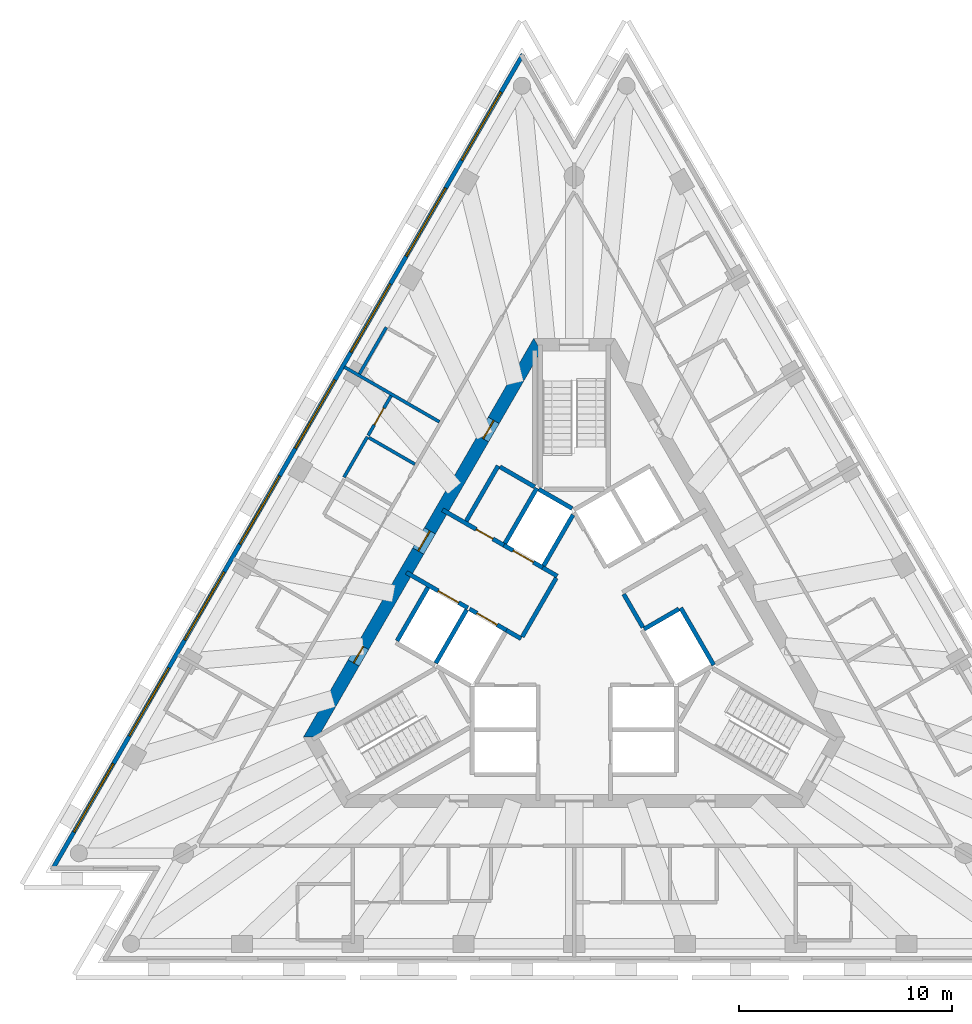
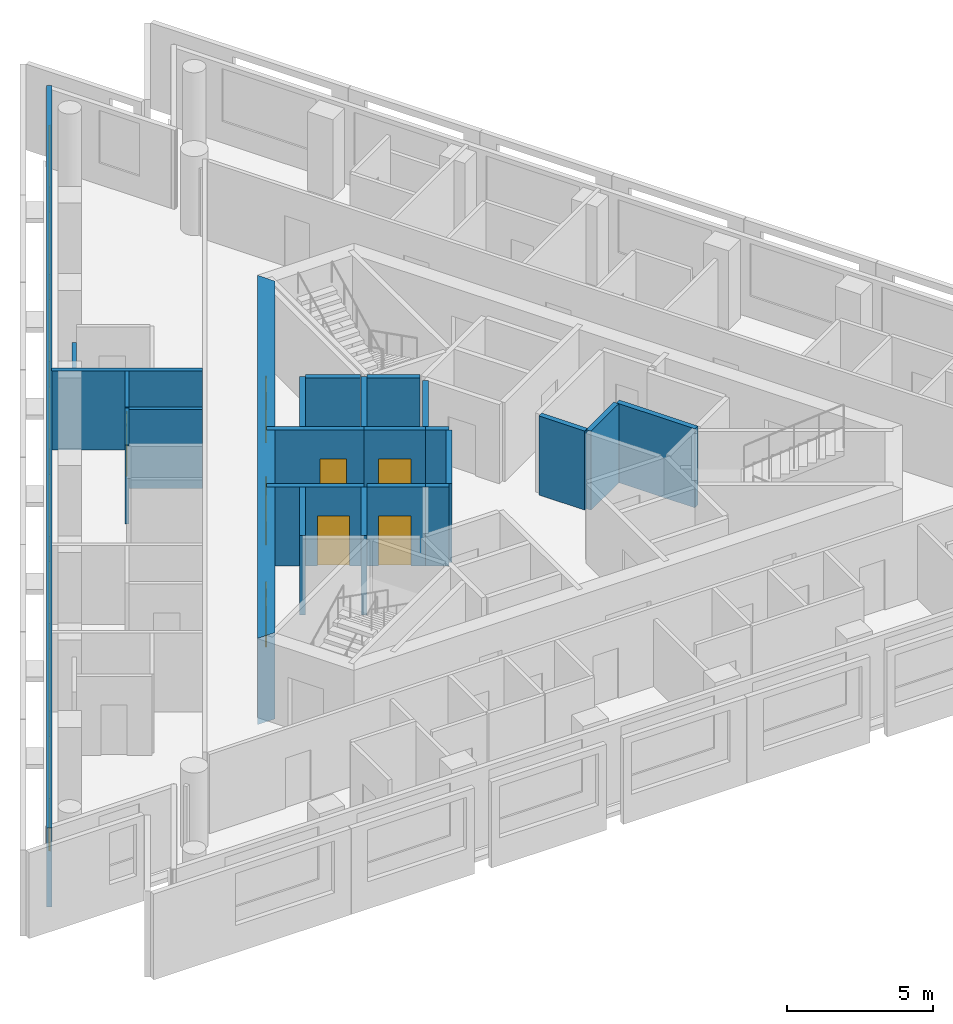
# One storey, part 5 of 10: 24 walls, 8 doors, 8 windows, 16 openings.
"""IFC4 building model written with IfcOpenShell, lengths in metres."""

import ifcopenshell
import ifcopenshell.guid

model = None  # the IFC model being written
_history = None  # IfcOwnerHistory: only IFC2X3 demands one
_inside = {}  # id of a spatial element -> (the spatial element, [elements in it])
_under = {}  # id of a project, library or spatial element -> (it, [spatial elements below it])
_declared = {}  # id of a project -> (the project, [libraries it declares])
_typed = {}  # id of a type object -> (the type object, [elements of that type])
_made_of = {}  # id of a material, layer set ... -> (it, [elements and type objects made of it])


def new_model(schema):
    """Start an empty IFC model of exactly this schema.

    Asked for "IFC4X3", IfcOpenShell would pick the latest addendum, in which some entities
    have other attributes; the version numbers below select the first issue.
    IFC2X3 requires an IfcOwnerHistory on every rooted entity: one is made here for all.
    """
    global model, _history
    if schema == "IFC4X3":
        model = ifcopenshell.file(schema_version=(4, 3, 0, 0))
    else:
        model = ifcopenshell.file(schema=schema)
    _inside.clear()
    _under.clear()
    _declared.clear()
    _typed.clear()
    _made_of.clear()
    _history = None
    if model.schema == "IFC2X3":
        org = make("IfcOrganization", Name="unknown")
        user = make(
            "IfcPersonAndOrganization",
            ThePerson=make("IfcPerson", FamilyName="unknown"),
            TheOrganization=org,
        )
        app = make(
            "IfcApplication",
            ApplicationDeveloper=org,
            Version="unknown",
            ApplicationFullName="unknown",
            ApplicationIdentifier="unknown",
        )
        _history = make(
            "IfcOwnerHistory",
            OwningUser=user,
            OwningApplication=app,
            ChangeAction="ADDED",
            CreationDate=0,
        )
    return model


def make(cls, **values):
    """One entity of the class cls with the attributes given. An attribute that is None is left unset."""
    return model.create_entity(
        cls, **{name: value for name, value in values.items() if value is not None}
    )


def rooted(cls, **values):
    """An entity with a GlobalId (a new one), such as an element, a storey or a relation."""
    return make(cls, GlobalId=ifcopenshell.guid.new(), OwnerHistory=_history, **values)


def si_unit(unit_type, name, prefix=None):
    """IfcSIUnit, for example si_unit("LENGTHUNIT", "METRE", prefix="MILLI")."""
    return make("IfcSIUnit", UnitType=unit_type, Prefix=prefix, Name=name)


def assignment(units):
    """IfcUnitAssignment: the units of a project."""
    return None if units is None else make("IfcUnitAssignment", Units=units)


def point(xyz):
    """IfcCartesianPoint."""
    return None if xyz is None else make("IfcCartesianPoint", Coordinates=xyz)


def direction(xyz):
    """IfcDirection."""
    return None if xyz is None else make("IfcDirection", DirectionRatios=xyz)


def frame(location, z_axis=None, x_axis=None):
    """IfcAxis2Placement3D, a coordinate frame: its origin and axes. An axis left out is left unset."""
    return make(
        "IfcAxis2Placement3D",
        Location=point(location),
        Axis=direction(z_axis),
        RefDirection=direction(x_axis),
    )


def frame_2d(location, x_axis=None):
    """IfcAxis2Placement2D, a coordinate frame in the plane: its origin and x axis."""
    return make(
        "IfcAxis2Placement2D", Location=point(location), RefDirection=direction(x_axis)
    )


def origin():
    """The frame at (0, 0, 0) with its axes left unset."""
    return frame((0.0, 0.0, 0.0))


def place(relative_to, where):
    """IfcLocalPlacement: puts the frame where relative to a parent placement (None: the world)."""
    return make(
        "IfcLocalPlacement", PlacementRelTo=relative_to, RelativePlacement=where
    )


def context(
    kind, dimensions, precision=None, world=None, true_north=None, identifier=None
):
    """IfcGeometricRepresentationContext, for example the 3D "Model" context."""
    return make(
        "IfcGeometricRepresentationContext",
        ContextIdentifier=identifier,
        ContextType=kind,
        CoordinateSpaceDimension=dimensions,
        Precision=precision,
        WorldCoordinateSystem=world,
        TrueNorth=true_north,
    )


def subcontext(parent, identifier, kind, view, scale=None):
    """IfcGeometricRepresentationSubContext, for example "Body" below "Model"."""
    return make(
        "IfcGeometricRepresentationSubContext",
        ContextIdentifier=identifier,
        ContextType=kind,
        ParentContext=parent,
        TargetScale=scale,
        TargetView=view,
    )


def project(units=None, contexts=None):
    """IfcProject with its units and contexts."""
    return rooted(
        "IfcProject",
        Name="project",
        RepresentationContexts=contexts,
        UnitsInContext=assignment(units),
    )


def spatial(cls, under=None, at=None, **own):
    """A site, building, storey or space (cls), placed at a placement, below another one or the project."""
    s = rooted(cls, ObjectPlacement=at, **own)
    if under is not None:
        _under.setdefault(under.id(), (under, []))[1].append(s)
    return s


def polyline(points):
    """IfcPolyline through the points."""
    return make("IfcPolyline", Points=[point(p) for p in points])


def profile(cls, at=None, kind="AREA", **sizes):
    """A parametric profile (cls). Its sizes go by their IFC names, for example OverallWidth=200.0."""
    return make(cls, ProfileType=kind, Position=at, **sizes)


def rectangle(**sizes):
    """IfcRectangleProfileDef."""
    return profile("IfcRectangleProfileDef", **sizes)


def outline(outer, holes=None, kind="AREA"):
    """IfcArbitraryClosedProfileDef: a profile drawn as a closed curve; with holes, ...WithVoids."""
    if holes is None:
        return make("IfcArbitraryClosedProfileDef", ProfileType=kind, OuterCurve=outer)
    return make(
        "IfcArbitraryProfileDefWithVoids",
        ProfileType=kind,
        OuterCurve=outer,
        InnerCurves=holes,
    )


def extrude(swept, where, along, depth):
    """IfcExtrudedAreaSolid: the profile swept, set in the frame where, extruded along a direction by depth."""
    return make(
        "IfcExtrudedAreaSolid",
        SweptArea=swept,
        Position=where,
        ExtrudedDirection=direction(along),
        Depth=depth,
    )


def shape(context_of_items, identifier, shape_type, items):
    """IfcShapeRepresentation: the items that make up one representation, for example the "Body"."""
    return make(
        "IfcShapeRepresentation",
        ContextOfItems=context_of_items,
        RepresentationIdentifier=identifier,
        RepresentationType=shape_type,
        Items=items,
    )


def material(Name=None, Category=None):
    """IfcMaterial."""
    return make("IfcMaterial", Name=Name, Category=Category)


def layer(
    of_material, thickness, ventilated=None, Name=None, Category=None, Priority=None
):
    """IfcMaterialLayer: one layer of a wall or slab, of a material (None: an air gap)."""
    return make(
        "IfcMaterialLayer",
        Material=of_material,
        LayerThickness=thickness,
        IsVentilated=ventilated,
        Name=Name,
        Category=Category,
        Priority=Priority,
    )


def layer_set(layers, Name=None):
    """IfcMaterialLayerSet."""
    return make("IfcMaterialLayerSet", MaterialLayers=layers, LayerSetName=Name)


def layer_usage(for_layer_set, set_direction, sense, offset, extent=None):
    """IfcMaterialLayerSetUsage: how a layer set lies in its element."""
    return make(
        "IfcMaterialLayerSetUsage",
        ForLayerSet=for_layer_set,
        LayerSetDirection=set_direction,
        DirectionSense=sense,
        OffsetFromReferenceLine=offset,
        ReferenceExtent=extent,
    )


def made_of(thing, what):
    """Note that an element or type object is made of a material, layer set ...; save() writes the relation."""
    if what is not None:
        _made_of.setdefault(what.id(), (what, []))[1].append(thing)
    return thing


def type_object(cls, material=None, **own):
    """A type object (cls), such as IfcWallType, which elements share."""
    return made_of(rooted(cls, **own), material)


def element(
    cls,
    number,
    at=None,
    inside=None,
    cuts=None,
    type_object=None,
    material=None,
    context=None,
    identifier="Body",
    shape_type=None,
    held_by="IfcProductDefinitionShape",
    body=None,
    shapes=None,
    **own,
):
    """One element of the class cls, such as IfcWall. Its Tag is "e" and its number.

    at: its placement. inside: the storey or other place that contains it. cuts: it is an
    opening in that element (IfcRelVoidsElement). A single representation is given by context,
    identifier, shape_type and body (its items); several are given by shapes. held_by: the class
    of the entity that holds the representations. save() writes the other relations.
    """
    e = rooted(cls, Tag="e%d" % number, ObjectPlacement=at, **own)
    if body is not None:
        shapes = [shape(context, identifier, shape_type, body)]
    if shapes is not None:
        e.Representation = make(held_by, Representations=shapes)
    if inside is not None:
        _inside.setdefault(inside.id(), (inside, []))[1].append(e)
    if cuts is not None:
        rooted(
            "IfcRelVoidsElement", RelatingBuildingElement=cuts, RelatedOpeningElement=e
        )
    if type_object is not None:
        _typed.setdefault(type_object.id(), (type_object, []))[1].append(e)
    return made_of(e, material)


def fill(opening, filler):
    """IfcRelFillsElement: the door or window that sits in an opening."""
    return rooted(
        "IfcRelFillsElement",
        RelatingOpeningElement=opening,
        RelatedBuildingElement=filler,
    )


def aggregate(whole, parts):
    """IfcRelAggregates: a whole, such as a stair, and the parts it consists of."""
    return rooted("IfcRelAggregates", RelatingObject=whole, RelatedObjects=parts)


def save(model, path):
    """Write the relations noted so far, then the file.

    IfcRelAggregates (storeys below a building ...), IfcRelContainedInSpatialStructure (elements
    in a storey), IfcRelDefinesByType, IfcRelAssociatesMaterial and IfcRelDeclares: one each for
    every whole, place, type object, material and project.
    """
    for whole, parts in _under.values():
        aggregate(whole, parts)
    for where, things in _inside.values():
        rooted(
            "IfcRelContainedInSpatialStructure",
            RelatedElements=things,
            RelatingStructure=where,
        )
    for kind, things in _typed.values():
        rooted("IfcRelDefinesByType", RelatedObjects=things, RelatingType=kind)
    for what, things in _made_of.values():
        rooted("IfcRelAssociatesMaterial", RelatedObjects=things, RelatingMaterial=what)
    for by, libraries in _declared.values():
        rooted("IfcRelDeclares", RelatingContext=by, RelatedDefinitions=libraries)
    model.write(path)


model = new_model("IFC4")

# Units and contexts
model_context = context("Model", 3, precision=1e-05, world=origin(), true_north=direction((0.0, 1.0)))
body_context = subcontext(model_context, "Body", "Model", "MODEL_VIEW")
ifc_project = project(units=[si_unit("LENGTHUNIT", "METRE"), si_unit("AREAUNIT", "SQUARE_METRE"), si_unit("VOLUMEUNIT", "CUBIC_METRE"), si_unit("PLANEANGLEUNIT", "RADIAN"), si_unit("MASSUNIT", "GRAM", prefix="KILO")], contexts=[model_context])

# Site, building, storey
site_placement = place(None, origin())
site = spatial("IfcSite", under=ifc_project, at=site_placement, CompositionType="ELEMENT")
building_placement = place(site_placement, origin())
building = spatial("IfcBuilding", under=site, at=building_placement, Name="Triada Interchange Tower", CompositionType="ELEMENT")
storey_placement = place(building_placement, frame((0.0, 0.0, 311.5)))
storey = spatial("IfcBuildingStorey", under=building, at=storey_placement, Name="L74", CompositionType="ELEMENT", Elevation=311.5)

# Walls
ifc_material_1 = material(Name="Concrete C30/37", Category="concrete")
ifc_layer_1 = layer(ifc_material_1, 0.199951171875)
ifc_layer_set_1 = layer_set([ifc_layer_1], Name="CORE WALL 200 EI 120")
wall_type_1 = type_object("IfcWallType", Name="CORE WALL 200 EI 120", PredefinedType="SOLIDWALL", material=ifc_layer_set_1)
wall_1_placement = place(storey_placement, frame((-8.325927734375, -0.6201171875, 0.0), z_axis=(0.0, 0.0, 1.0), x_axis=(0.500023687443, 0.866011727401, 0.0)))
element("IfcWall", 1, at=wall_1_placement, inside=storey, type_object=wall_type_1, Name="Wall L74 65", PredefinedType="SOLIDWALL", context=body_context, shape_type="SweptSolid", body=[
    extrude(rectangle(XDim=2.899658203125, YDim=0.199951171875, at=frame_2d((1.44970703125, 0.0))), origin(), (0.0, 0.0, 1.0), 3.300048828125),
])
wall_2_placement = place(storey_placement, frame((5.007080078125, 0.927978515625, 0.0), z_axis=(0.0, 0.0, 1.0), x_axis=(0.499899694197, -0.866083307622, 0.0)))
element("IfcWall", 2, at=wall_2_placement, inside=storey, type_object=wall_type_1, Name="Wall L74 82", PredefinedType="SOLIDWALL", context=body_context, shape_type="SweptSolid", body=[
    extrude(rectangle(XDim=3.100341796875, YDim=0.199951171875, at=frame_2d((1.55029296875, 0.0))), origin(), (0.0, 0.0, 1.0), 3.300048828125),
])
wall_3_placement = place(storey_placement, frame((3.278076171875, -0.071044921875, 0.0), z_axis=(0.0, 0.0, 1.0), x_axis=(0.865784509405, 0.500417009377, 0.0)))
element("IfcWall", 3, at=wall_3_placement, inside=storey, type_object=wall_type_1, Name="Wall L74 83", PredefinedType="SOLIDWALL", context=body_context, shape_type="SweptSolid", body=[
    extrude(rectangle(XDim=1.896484375, YDim=0.199951171875, at=frame_2d((0.9482421875, 0.0))), origin(), (0.0, 0.0, 1.0), 3.300048828125),
])
wall_4_placement = place(storey_placement, frame((2.324951171875, 1.572998046875, 0.0), z_axis=(0.0, 0.0, 1.0), x_axis=(0.500004188491, -0.866022985545, 0.0)))
element("IfcWall", 4, at=wall_4_placement, inside=storey, type_object=wall_type_1, Name="Wall L74 87", PredefinedType="SOLIDWALL", context=body_context, shape_type="SweptSolid", body=[
    extrude(rectangle(XDim=1.80029296875, YDim=0.199951171875, at=frame_2d((0.900146484375, 0.0))), origin(), (0.0, 0.0, 1.0), 3.300048828125),
])

# Wall, opening, door
ifc_layer_2 = layer(ifc_material_1, 0.199951171875)
ifc_layer_set_2 = layer_set([ifc_layer_2], Name="CORE WALL 200 EI 180")
wall_type_2 = type_object("IfcWallType", Name="CORE WALL 200 EI 180", PredefinedType="SOLIDWALL", material=ifc_layer_set_2)
wall_5_placement = place(storey_placement, frame((-7.89111328125, 2.593017578125, 0.0), z_axis=(0.0, 0.0, 1.0), x_axis=(0.866070917804, -0.499921159118, 0.0)))
wall_5 = element("IfcWall", 5, at=wall_5_placement, inside=storey, type_object=wall_type_2, Name="Wall L74 89", PredefinedType="SOLIDWALL", context=body_context, shape_type="SweptSolid", body=[
    extrude(rectangle(XDim=3.33251953125, YDim=0.199951171875, at=frame_2d((1.666259765625, 0.0))), origin(), (0.0, 0.0, 1.0), 3.300048828125),
])
opening_1_placement = place(wall_5_placement, frame((1.72998046875, 0.0, 0.0)))
opening_1 = element("IfcOpeningElement", 6, at=opening_1_placement, cuts=wall_5, Name="Opening LD-SV1", PredefinedType="OPENING", context=body_context, shape_type="SweptSolid", body=[
    extrude(rectangle(XDim=1.10009765625, YDim=2.10009765625, at=frame_2d((0.550048828125, 1.050048828125))), frame((0.0, 0.10986328125, 0.0), z_axis=(0.0, -1.0, 0.0), x_axis=(1.0, 0.0, 0.0)), (0.0, 0.0, 1.0), 0.219970703125),
])
ifc_material_2 = material(Name="Steel S235 door leaf", Category="steel")
door_type_1 = type_object("IfcDoorType", Name="LIFT LANDING DOOR 1100 EI 120", OperationType="SLIDING_TO_LEFT", PredefinedType="DOOR", material=ifc_material_2)
door_1_placement = place(opening_1_placement, origin())
door_1 = element("IfcDoor", 7, at=door_1_placement, inside=storey, type_object=door_type_1, Name="SV1 landing door L74", OperationType="SLIDING_TO_LEFT", OverallHeight=2.10009765625, OverallWidth=1.10009765625, PredefinedType="DOOR", context=body_context, shape_type="SweptSolid", body=[
    extrude(rectangle(XDim=1.10009765625, YDim=2.10009765625, at=frame_2d((0.550048828125, 1.050048828125))), frame((0.0, 0.02490234375, 0.0), z_axis=(0.0, -1.0, 0.0), x_axis=(1.0, 0.0, 0.0)), (0.0, 0.0, 1.0), 0.050048828125),
])
fill(opening_1, door_1)

# Wall
wall_6_placement = place(storey_placement, frame((-3.18798828125, -0.1220703125, 0.0), z_axis=(0.0, 0.0, 1.0), x_axis=(0.865705793592, -0.50055317294, 0.0)))
element("IfcWall", 8, at=wall_6_placement, inside=storey, type_object=wall_type_2, Name="Wall L74 90", PredefinedType="SOLIDWALL", context=body_context, shape_type="SweptSolid", body=[
    extrude(rectangle(XDim=0.796875, YDim=0.199951171875, at=frame_2d((0.3984375, 0.0))), origin(), (0.0, 0.0, 1.0), 3.300048828125),
])

# Wall, opening, door
wall_7_placement = place(storey_placement, frame((-6.19091796875, 5.537109375, 0.0), z_axis=(0.0, 0.0, 1.0), x_axis=(0.866052607023, -0.499952879648, 0.0)))
wall_7 = element("IfcWall", 9, at=wall_7_placement, inside=storey, type_object=wall_type_2, Name="Wall L74 91", PredefinedType="SOLIDWALL", context=body_context, shape_type="SweptSolid", body=[
    extrude(rectangle(XDim=3.332275390625, YDim=0.199951171875, at=frame_2d((1.666015625, 0.0))), origin(), (0.0, 0.0, 1.0), 3.300048828125),
])
opening_2_placement = place(wall_7_placement, frame((1.830078125, 0.0, 0.0)))
opening_2 = element("IfcOpeningElement", 10, at=opening_2_placement, cuts=wall_7, Name="Opening D74-10", PredefinedType="OPENING", context=body_context, shape_type="SweptSolid", body=[
    extrude(rectangle(XDim=0.89990234375, YDim=2.10009765625, at=frame_2d((0.449951171875, 1.050048828125))), frame((0.0, 0.10986328125, 0.0), z_axis=(0.0, -1.0, 0.0), x_axis=(1.0, 0.0, 0.0)), (0.0, 0.0, 1.0), 0.219970703125),
])
door_type_2 = type_object("IfcDoorType", Name="SERVICE DOOR 900 EI2 90-C5S200", OperationType="NOTDEFINED", PredefinedType="DOOR", material=ifc_material_2)
door_2_placement = place(opening_2_placement, origin())
door_2 = element("IfcDoor", 11, at=door_2_placement, inside=storey, type_object=door_type_2, Name="Door D74-10 L74", OperationType="SINGLE_SWING_LEFT", OverallHeight=2.10009765625, OverallWidth=0.89990234375, PredefinedType="DOOR", context=body_context, shape_type="SweptSolid", body=[
    extrude(rectangle(XDim=0.89990234375, YDim=2.10009765625, at=frame_2d((0.449951171875, 1.050048828125))), frame((0.0, 0.02490234375, 0.0), z_axis=(0.0, -1.0, 0.0), x_axis=(1.0, 0.0, 0.0)), (0.0, 0.0, 1.0), 0.050048828125),
])
fill(opening_2, door_2)

# Walls
wall_8_placement = place(storey_placement, frame((-1.488037109375, 2.822021484375, 0.0), z_axis=(0.0, 0.0, 1.0), x_axis=(0.866236612152, -0.499633997809, 0.0)))
element("IfcWall", 12, at=wall_8_placement, inside=storey, type_object=wall_type_2, Name="Wall L74 92", PredefinedType="SOLIDWALL", context=body_context, shape_type="SweptSolid", body=[
    extrude(rectangle(XDim=0.79638671875, YDim=0.199951171875, at=frame_2d((0.398193359375, 0.0))), origin(), (0.0, 0.0, 1.0), 3.300048828125),
])
wall_9_placement = place(storey_placement, frame((-5.075927734375, 5.009033203125, 0.0), z_axis=(0.0, 0.0, 1.0), x_axis=(0.50002537861, 0.866010750942, 0.0)))
element("IfcWall", 13, at=wall_9_placement, inside=storey, type_object=wall_type_2, Name="Wall L74 93", PredefinedType="SOLIDWALL", context=body_context, shape_type="SweptSolid", body=[
    extrude(rectangle(XDim=2.999755859375, YDim=0.199951171875, at=frame_2d((1.5, 0.0))), origin(), (0.0, 0.0, 1.0), 3.300048828125),
])
wall_10_placement = place(storey_placement, frame((-3.489013671875, 7.556884765625, 0.0), z_axis=(0.0, 0.0, 1.0), x_axis=(0.866012558475, -0.500022248069, 0.0)))
element("IfcWall", 14, at=wall_10_placement, inside=storey, type_object=wall_type_2, Name="Wall L74 94", PredefinedType="SOLIDWALL", context=body_context, shape_type="SweptSolid", body=[
    extrude(rectangle(XDim=1.8798828125, YDim=0.199951171875, at=frame_2d((0.93994140625, 0.0))), origin(), (0.0, 0.0, 1.0), 3.300048828125),
])
wall_11_placement = place(storey_placement, frame((-2.444091796875, -0.43310546875, 0.0), z_axis=(0.0, 0.0, 1.0), x_axis=(0.500035624827, 0.866004834804, 0.0)))
element("IfcWall", 15, at=wall_11_placement, inside=storey, type_object=wall_type_2, Name="Wall L74 95", PredefinedType="SOLIDWALL", context=body_context, shape_type="SweptSolid", body=[
    extrude(rectangle(XDim=3.194091796875, YDim=0.199951171875, at=frame_2d((1.59716796875, 0.0))), origin(), (0.0, 0.0, 1.0), 3.300048828125),
])
wall_12_placement = place(storey_placement, frame((-6.507080078125, -1.669921875, 0.0), z_axis=(0.0, 0.0, 1.0), x_axis=(0.50012328804, 0.865954211699, 0.0)))
element("IfcWall", 16, at=wall_12_placement, inside=storey, type_object=wall_type_2, Name="Shaft wall FF1 L74 96", PredefinedType="SOLIDWALL", context=body_context, shape_type="SweptSolid", body=[
    extrude(rectangle(XDim=2.899658203125, YDim=0.199951171875, at=frame_2d((1.44970703125, 0.0))), origin(), (0.0, 0.0, 1.0), 3.300048828125),
])

# Wall, opening, door
wall_13_placement = place(storey_placement, frame((-4.922119140625, 0.87890625, 0.0), z_axis=(0.0, 0.0, 1.0), x_axis=(0.866073918653, -0.499915960366, 0.0)))
wall_13 = element("IfcWall", 17, at=wall_13_placement, inside=storey, type_object=wall_type_2, Name="Shaft wall FF1 L74 98", PredefinedType="SOLIDWALL", context=body_context, shape_type="SweptSolid", body=[
    extrude(rectangle(XDim=2.002197265625, YDim=0.199951171875, at=frame_2d((1.0009765625, 0.0))), origin(), (0.0, 0.0, 1.0), 3.300048828125),
])
opening_3_placement = place(wall_13_placement, frame((0.402099609375, 0.0, 0.0)))
opening_3 = element("IfcOpeningElement", 18, at=opening_3_placement, cuts=wall_13, Name="Opening LD-FF1", PredefinedType="OPENING", context=body_context, shape_type="SweptSolid", body=[
    extrude(rectangle(XDim=1.10009765625, YDim=2.10009765625, at=frame_2d((0.550048828125, 1.050048828125))), frame((0.0, 0.10986328125, 0.0), z_axis=(0.0, -1.0, 0.0), x_axis=(1.0, 0.0, 0.0)), (0.0, 0.0, 1.0), 0.219970703125),
])
door_3_placement = place(opening_3_placement, origin())
door_3 = element("IfcDoor", 19, at=door_3_placement, inside=storey, type_object=door_type_1, Name="FF1 landing door L74", OperationType="SLIDING_TO_LEFT", OverallHeight=2.10009765625, OverallWidth=1.10009765625, PredefinedType="DOOR", context=body_context, shape_type="SweptSolid", body=[
    extrude(rectangle(XDim=1.10009765625, YDim=2.10009765625, at=frame_2d((0.550048828125, 1.050048828125))), frame((0.0, 0.02490234375, 0.0), z_axis=(0.0, -1.0, 0.0), x_axis=(1.0, 0.0, 0.0)), (0.0, 0.0, 1.0), 0.050048828125),
])
fill(opening_3, door_3)

wall_14_placement = place(storey_placement, frame((-3.30908203125, 3.873046875, 0.0), z_axis=(0.0, 0.0, 1.0), x_axis=(0.866098583652, -0.499873227325, 0.0)))
wall_14 = element("IfcWall", 20, at=wall_14_placement, inside=storey, type_object=wall_type_2, Name="Shaft wall FF2 L74 100", PredefinedType="SOLIDWALL", context=body_context, shape_type="SweptSolid", body=[
    extrude(rectangle(XDim=2.1025390625, YDim=0.199951171875, at=frame_2d((1.05126953125, 0.0))), origin(), (0.0, 0.0, 1.0), 3.300048828125),
])
opening_4_placement = place(wall_14_placement, frame((0.501953125, 0.0, 0.0)))
opening_4 = element("IfcOpeningElement", 21, at=opening_4_placement, cuts=wall_14, Name="Opening LD-FF2", PredefinedType="OPENING", context=body_context, shape_type="SweptSolid", body=[
    extrude(rectangle(XDim=1.10009765625, YDim=2.10009765625, at=frame_2d((0.550048828125, 1.050048828125))), frame((0.0, 0.10986328125, 0.0), z_axis=(0.0, -1.0, 0.0), x_axis=(1.0, 0.0, 0.0)), (0.0, 0.0, 1.0), 0.219970703125),
])
door_4_placement = place(opening_4_placement, origin())
door_4 = element("IfcDoor", 22, at=door_4_placement, inside=storey, type_object=door_type_1, Name="FF2 landing door L74", OperationType="SLIDING_TO_LEFT", OverallHeight=2.10009765625, OverallWidth=1.10009765625, PredefinedType="DOOR", context=body_context, shape_type="SweptSolid", body=[
    extrude(rectangle(XDim=1.10009765625, YDim=2.10009765625, at=frame_2d((0.550048828125, 1.050048828125))), frame((0.0, 0.02490234375, 0.0), z_axis=(0.0, -1.0, 0.0), x_axis=(1.0, 0.0, 0.0)), (0.0, 0.0, 1.0), 0.050048828125),
])
fill(opening_4, door_4)

# Walls
wall_15_placement = place(storey_placement, frame((-3.257080078125, 3.958984375, 0.0), z_axis=(0.0, 0.0, 1.0), x_axis=(0.50002537861, 0.866010750942, 0.0)))
element("IfcWall", 23, at=wall_15_placement, inside=storey, type_object=wall_type_2, Name="Shaft wall FF2 L74 101", PredefinedType="SOLIDWALL", context=body_context, shape_type="SweptSolid", body=[
    extrude(rectangle(XDim=2.999755859375, YDim=0.199951171875, at=frame_2d((1.5, 0.0))), origin(), (0.0, 0.0, 1.0), 3.300048828125),
])
wall_16_placement = place(storey_placement, frame((-1.669921875, 6.507080078125, 0.0), z_axis=(0.0, 0.0, 1.0), x_axis=(0.865941441609, -0.500145398563, 0.0)))
element("IfcWall", 24, at=wall_16_placement, inside=storey, type_object=wall_type_2, Name="Shaft wall FF2 L74 102", PredefinedType="SOLIDWALL", context=body_context, shape_type="SweptSolid", body=[
    extrude(rectangle(XDim=1.8154296875, YDim=0.199951171875, at=frame_2d((0.90771484375, 0.0))), origin(), (0.0, 0.0, 1.0), 3.300048828125),
])
wall_17_placement = place(storey_placement, frame((-1.43798828125, 2.908935546875, 0.0), z_axis=(0.0, 0.0, 1.0), x_axis=(0.499829630636, 0.866123744241, 0.0)))
element("IfcWall", 25, at=wall_17_placement, inside=storey, type_object=wall_type_2, Name="Shaft wall FF2 L74 103", PredefinedType="SOLIDWALL", context=body_context, shape_type="SweptSolid", body=[
    extrude(rectangle(XDim=2.7607421875, YDim=0.199951171875, at=frame_2d((1.38037109375, 0.0))), origin(), (0.0, 0.0, 1.0), 3.300048828125),
])

# Wall, openings, doors
ifc_material_3 = material(Name="Concrete C40/50", Category="concrete")
ifc_layer_3 = layer(ifc_material_3, 0.60009765625)
ifc_layer_set_3 = layer_set([ifc_layer_3], Name="Core wall D 600")
wall_type_3 = type_object("IfcWallType", Name="Core wall D 600", PredefinedType="SHEAR", material=ifc_layer_set_3)
wall_18_placement = place(storey_placement, frame((-1.73193359375, 13.300048828125, -0.300048828125), z_axis=(0.0, 0.0, 1.0), x_axis=(-0.500000539815, -0.866025092122, 0.0)))
wall_18 = element("IfcWall", 26, at=wall_18_placement, inside=storey, type_object=wall_type_3, Name="Core wall WD02 L74", PredefinedType="SHEAR", context=body_context, shape_type="SweptSolid", body=[
    extrude(outline(polyline([(-0.173095703125, -0.300048828125), (1.795166015625, -0.300048828125), (3.763427734375, -0.30029296875), (5.731689453125, -0.30029296875), (7.699951171875, -0.30029296875), (9.668212890625, -0.300537109375), (11.63671875, -0.300537109375), (13.60498046875, -0.30078125), (15.5732421875, -0.30078125), (17.54150390625, -0.30078125), (19.509765625, -0.301025390625), (21.47802734375, -0.301025390625), (21.131103515625, 0.300048828125), (19.225830078125, 0.300048828125), (17.320556640625, 0.300048828125), (15.415283203125, 0.300048828125), (13.510009765625, 0.300048828125), (11.604736328125, 0.300048828125), (9.699462890625, 0.300048828125), (7.794189453125, 0.300048828125), (5.888916015625, 0.300048828125), (3.983642578125, 0.300048828125), (2.078369140625, 0.300048828125), (0.173095703125, 0.300048828125), (-0.173095703125, -0.300048828125)])), origin(), (0.0, 0.0, 1.0), 3.60009765625),
])
opening_5_placement = place(wall_18_placement, frame((10.10205078125, 0.0, 0.300048828125)))
opening_5 = element("IfcOpeningElement", 27, at=opening_5_placement, cuts=wall_18, Name="Opening D74-49", PredefinedType="OPENING", context=body_context, shape_type="SweptSolid", body=[
    extrude(rectangle(XDim=1.10009765625, YDim=2.10009765625, at=frame_2d((0.550048828125, 1.050048828125))), frame((0.0, 0.31005859375, 0.0), z_axis=(0.0, -1.0, 0.0), x_axis=(1.0, 0.0, 0.0)), (0.0, 0.0, 1.0), 0.62109375),
])
opening_6_placement = place(wall_18_placement, frame((16.3779296875, 0.0, 0.300048828125)))
opening_6 = element("IfcOpeningElement", 28, at=opening_6_placement, cuts=wall_18, Name="Opening D74-50", PredefinedType="OPENING", context=body_context, shape_type="SweptSolid", body=[
    extrude(rectangle(XDim=0.89990234375, YDim=2.10009765625, at=frame_2d((0.449951171875, 1.050048828125))), frame((0.0, 0.31005859375, 0.0), z_axis=(0.0, -1.0, 0.0), x_axis=(1.0, 0.0, 0.0)), (0.0, 0.0, 1.0), 0.62109375),
])
opening_7_placement = place(wall_18_placement, frame((4.10595703125, 0.0, 0.300048828125)))
opening_7 = element("IfcOpeningElement", 29, at=opening_7_placement, cuts=wall_18, Name="Opening D74-52", PredefinedType="OPENING", context=body_context, shape_type="SweptSolid", body=[
    extrude(rectangle(XDim=1.0, YDim=2.10009765625, at=frame_2d((0.5, 1.050048828125))), frame((0.0, 0.31005859375, 0.0), z_axis=(0.0, -1.0, 0.0), x_axis=(1.0, 0.0, 0.0)), (0.0, 0.0, 1.0), 0.62109375),
])
door_type_3 = type_object("IfcDoorType", Name="FIRE LOBBY DOOR 1100 EI2 90-C5S200", OperationType="NOTDEFINED", PredefinedType="DOOR", material=ifc_material_2)
door_5_placement = place(opening_5_placement, origin())
door_5 = element("IfcDoor", 30, at=door_5_placement, inside=storey, type_object=door_type_3, Name="Door D74-49 L74", OperationType="SINGLE_SWING_RIGHT", OverallHeight=2.10009765625, OverallWidth=1.10009765625, PredefinedType="DOOR", context=body_context, shape_type="SweptSolid", body=[
    extrude(rectangle(XDim=1.10009765625, YDim=2.10009765625, at=frame_2d((0.550048828125, 1.050048828125))), frame((0.0, 0.02490234375, 0.0), z_axis=(0.0, -1.0, 0.0), x_axis=(1.0, 0.0, 0.0)), (0.0, 0.0, 1.0), 0.050048828125),
])
fill(opening_5, door_5)
door_type_4 = type_object("IfcDoorType", Name="SERVICE DOOR 1000 EI2 45-C5S200", OperationType="NOTDEFINED", PredefinedType="DOOR", material=ifc_material_2)
door_6_placement = place(opening_7_placement, origin())
door_6 = element("IfcDoor", 31, at=door_6_placement, inside=storey, type_object=door_type_4, Name="Door D74-52 L74", OperationType="SINGLE_SWING_LEFT", OverallHeight=2.10009765625, OverallWidth=1.0, PredefinedType="DOOR", context=body_context, shape_type="SweptSolid", body=[
    extrude(rectangle(XDim=1.0, YDim=2.10009765625, at=frame_2d((0.5, 1.050048828125))), frame((0.0, 0.02490234375, 0.0), z_axis=(0.0, -1.0, 0.0), x_axis=(1.0, 0.0, 0.0)), (0.0, 0.0, 1.0), 0.050048828125),
])
fill(opening_7, door_6)
door_type_5 = type_object("IfcDoorType", Name="SERVICE DOOR 900 EI2 45-C5S200", OperationType="NOTDEFINED", PredefinedType="DOOR", material=ifc_material_2)
door_7_placement = place(opening_6_placement, origin())
door_7 = element("IfcDoor", 32, at=door_7_placement, inside=storey, type_object=door_type_5, Name="Door D74-50 L74", OperationType="SINGLE_SWING_RIGHT", OverallHeight=2.10009765625, OverallWidth=0.89990234375, PredefinedType="DOOR", context=body_context, shape_type="SweptSolid", body=[
    extrude(rectangle(XDim=0.89990234375, YDim=2.10009765625, at=frame_2d((0.449951171875, 1.050048828125))), frame((0.0, 0.02490234375, 0.0), z_axis=(0.0, -1.0, 0.0), x_axis=(1.0, 0.0, 0.0)), (0.0, 0.0, 1.0), 0.050048828125),
])
fill(opening_6, door_7)

# Wall, openings, windows
ifc_material_4 = material(Name="Cement board")
ifc_layer_4 = layer(ifc_material_4, 0.02001953125, Name="Cement board cladding")
ifc_material_5 = material(Name="Sheathing board")
ifc_layer_5 = layer(ifc_material_5, 0.014892578125, Name="Sheathing board")
ifc_material_6 = material(Name="Mineral wool")
ifc_layer_6 = layer(ifc_material_6, 0.14990234375, Name="Mineral wool between steel studs")
ifc_material_7 = material(Name="Gypsum board")
ifc_layer_7 = layer(ifc_material_7, 0.014892578125, Name="Plasterboard lining")
ifc_layer_set_4 = layer_set([ifc_layer_4, ifc_layer_5, ifc_layer_6, ifc_layer_7], Name="External wall 200")
ifc_layer_usage = layer_usage(ifc_layer_set_4, "AXIS2", "POSITIVE", -0.10009765625)
wall_type_4 = type_object("IfcWallType", Name="External wall 200", PredefinedType="ELEMENTEDWALL", material=ifc_layer_set_4)
wall_19_placement = place(storey_placement, frame((-2.412109375, 26.947998046875, 0.0), z_axis=(0.0, 0.0, 1.0), x_axis=(-0.500002044679, -0.866024223285, 0.0)))
wall_19 = element("IfcWall", 33, at=wall_19_placement, inside=storey, type_object=wall_type_4, material=ifc_layer_usage, Name="External wall L74 NW", PredefinedType="ELEMENTEDWALL", context=body_context, shape_type="SweptSolid", body=[
    extrude(rectangle(XDim=44.243408203125, YDim=0.199951171875, at=frame_2d((22.12158203125, 0.0))), origin(), (0.0, 0.0, 1.0), 3.300048828125),
])
opening_8_placement = place(wall_19_placement, frame((2.055908203125, 0.0, 0.89990234375)))
opening_8 = element("IfcOpeningElement", 34, at=opening_8_placement, cuts=wall_19, Name="Opening WD01", PredefinedType="OPENING", context=body_context, shape_type="SweptSolid", body=[
    extrude(rectangle(XDim=3.699951171875, YDim=2.199951171875, at=frame_2d((1.85009765625, 1.10009765625))), frame((0.0, 0.10986328125, 0.0), z_axis=(0.0, -1.0, 0.0), x_axis=(1.0, 0.0, 0.0)), (0.0, 0.0, 1.0), 0.219970703125),
])
opening_9_placement = place(wall_19_placement, frame((7.262939453125, 0.0, 0.89990234375)))
opening_9 = element("IfcOpeningElement", 35, at=opening_9_placement, cuts=wall_19, Name="Opening WD02", PredefinedType="OPENING", context=body_context, shape_type="SweptSolid", body=[
    extrude(rectangle(XDim=3.699951171875, YDim=2.199951171875, at=frame_2d((1.85009765625, 1.10009765625))), frame((0.0, 0.10986328125, 0.0), z_axis=(0.0, -1.0, 0.0), x_axis=(1.0, 0.0, 0.0)), (0.0, 0.0, 1.0), 0.219970703125),
])
opening_10_placement = place(wall_19_placement, frame((12.470947265625, 0.0, 0.89990234375)))
opening_10 = element("IfcOpeningElement", 36, at=opening_10_placement, cuts=wall_19, Name="Opening WD03", PredefinedType="OPENING", context=body_context, shape_type="SweptSolid", body=[
    extrude(rectangle(XDim=3.699951171875, YDim=2.199951171875, at=frame_2d((1.85009765625, 1.10009765625))), frame((0.0, 0.10986328125, 0.0), z_axis=(0.0, -1.0, 0.0), x_axis=(1.0, 0.0, 0.0)), (0.0, 0.0, 1.0), 0.219970703125),
])
opening_11_placement = place(wall_19_placement, frame((17.677978515625, 0.0, 0.89990234375)))
opening_11 = element("IfcOpeningElement", 37, at=opening_11_placement, cuts=wall_19, Name="Opening WD04", PredefinedType="OPENING", context=body_context, shape_type="SweptSolid", body=[
    extrude(rectangle(XDim=3.699951171875, YDim=2.199951171875, at=frame_2d((1.85009765625, 1.10009765625))), frame((0.0, 0.10986328125, 0.0), z_axis=(0.0, -1.0, 0.0), x_axis=(1.0, 0.0, 0.0)), (0.0, 0.0, 1.0), 0.219970703125),
])
opening_12_placement = place(wall_19_placement, frame((22.885009765625, 0.0, 0.89990234375)))
opening_12 = element("IfcOpeningElement", 38, at=opening_12_placement, cuts=wall_19, Name="Opening WD05", PredefinedType="OPENING", context=body_context, shape_type="SweptSolid", body=[
    extrude(rectangle(XDim=3.699951171875, YDim=2.199951171875, at=frame_2d((1.85009765625, 1.10009765625))), frame((0.0, 0.10986328125, 0.0), z_axis=(0.0, -1.0, 0.0), x_axis=(1.0, 0.0, 0.0)), (0.0, 0.0, 1.0), 0.219970703125),
])
opening_13_placement = place(wall_19_placement, frame((28.092041015625, 0.0, 0.89990234375)))
opening_13 = element("IfcOpeningElement", 39, at=opening_13_placement, cuts=wall_19, Name="Opening WD06", PredefinedType="OPENING", context=body_context, shape_type="SweptSolid", body=[
    extrude(rectangle(XDim=3.699951171875, YDim=2.199951171875, at=frame_2d((1.85009765625, 1.10009765625))), frame((0.0, 0.10986328125, 0.0), z_axis=(0.0, -1.0, 0.0), x_axis=(1.0, 0.0, 0.0)), (0.0, 0.0, 1.0), 0.219970703125),
])
opening_14_placement = place(wall_19_placement, frame((33.300048828125, 0.0, 0.89990234375)))
opening_14 = element("IfcOpeningElement", 40, at=opening_14_placement, cuts=wall_19, Name="Opening WD07", PredefinedType="OPENING", context=body_context, shape_type="SweptSolid", body=[
    extrude(rectangle(XDim=3.699951171875, YDim=2.199951171875, at=frame_2d((1.85009765625, 1.10009765625))), frame((0.0, 0.10986328125, 0.0), z_axis=(0.0, -1.0, 0.0), x_axis=(1.0, 0.0, 0.0)), (0.0, 0.0, 1.0), 0.219970703125),
])
opening_15_placement = place(wall_19_placement, frame((38.507080078125, 0.0, 0.89990234375)))
opening_15 = element("IfcOpeningElement", 41, at=opening_15_placement, cuts=wall_19, Name="Opening WD08", PredefinedType="OPENING", context=body_context, shape_type="SweptSolid", body=[
    extrude(rectangle(XDim=3.699951171875, YDim=2.199951171875, at=frame_2d((1.85009765625, 1.10009765625))), frame((0.0, 0.10986328125, 0.0), z_axis=(0.0, -1.0, 0.0), x_axis=(1.0, 0.0, 0.0)), (0.0, 0.0, 1.0), 0.219970703125),
])
ifc_material_8 = material(Name="Double glazed aluminium window", Category="aluminium")
window_type = type_object("IfcWindowType", Name="Ribbon window D face", PartitioningType="SINGLE_PANEL", PredefinedType="WINDOW", material=ifc_material_8)
window_1_placement = place(opening_8_placement, origin())
window_1 = element("IfcWindow", 42, at=window_1_placement, inside=storey, type_object=window_type, Name="Window L74 NW 1", OverallHeight=2.199951171875, OverallWidth=3.699951171875, PartitioningType="SINGLE_PANEL", PredefinedType="WINDOW", context=body_context, shape_type="SweptSolid", body=[
    extrude(rectangle(XDim=3.699951171875, YDim=2.199951171875, at=frame_2d((1.85009765625, 1.10009765625))), frame((0.0, 0.030029296875, 0.0), z_axis=(0.0, -1.0, 0.0), x_axis=(1.0, 0.0, 0.0)), (0.0, 0.0, 1.0), 0.06005859375),
])
fill(opening_8, window_1)
window_2_placement = place(opening_9_placement, origin())
window_2 = element("IfcWindow", 43, at=window_2_placement, inside=storey, type_object=window_type, Name="Window L74 NW 2", OverallHeight=2.199951171875, OverallWidth=3.699951171875, PartitioningType="SINGLE_PANEL", PredefinedType="WINDOW", context=body_context, shape_type="SweptSolid", body=[
    extrude(rectangle(XDim=3.699951171875, YDim=2.199951171875, at=frame_2d((1.85009765625, 1.10009765625))), frame((0.0, 0.030029296875, 0.0), z_axis=(0.0, -1.0, 0.0), x_axis=(1.0, 0.0, 0.0)), (0.0, 0.0, 1.0), 0.06005859375),
])
fill(opening_9, window_2)
window_3_placement = place(opening_10_placement, origin())
window_3 = element("IfcWindow", 44, at=window_3_placement, inside=storey, type_object=window_type, Name="Window L74 NW 3", OverallHeight=2.199951171875, OverallWidth=3.699951171875, PartitioningType="SINGLE_PANEL", PredefinedType="WINDOW", context=body_context, shape_type="SweptSolid", body=[
    extrude(rectangle(XDim=3.699951171875, YDim=2.199951171875, at=frame_2d((1.85009765625, 1.10009765625))), frame((0.0, 0.030029296875, 0.0), z_axis=(0.0, -1.0, 0.0), x_axis=(1.0, 0.0, 0.0)), (0.0, 0.0, 1.0), 0.06005859375),
])
fill(opening_10, window_3)
window_4_placement = place(opening_11_placement, origin())
window_4 = element("IfcWindow", 45, at=window_4_placement, inside=storey, type_object=window_type, Name="Window L74 NW 4", OverallHeight=2.199951171875, OverallWidth=3.699951171875, PartitioningType="SINGLE_PANEL", PredefinedType="WINDOW", context=body_context, shape_type="SweptSolid", body=[
    extrude(rectangle(XDim=3.699951171875, YDim=2.199951171875, at=frame_2d((1.85009765625, 1.10009765625))), frame((0.0, 0.030029296875, 0.0), z_axis=(0.0, -1.0, 0.0), x_axis=(1.0, 0.0, 0.0)), (0.0, 0.0, 1.0), 0.06005859375),
])
fill(opening_11, window_4)
window_5_placement = place(opening_12_placement, origin())
window_5 = element("IfcWindow", 46, at=window_5_placement, inside=storey, type_object=window_type, Name="Window L74 NW 5", OverallHeight=2.199951171875, OverallWidth=3.699951171875, PartitioningType="SINGLE_PANEL", PredefinedType="WINDOW", context=body_context, shape_type="SweptSolid", body=[
    extrude(rectangle(XDim=3.699951171875, YDim=2.199951171875, at=frame_2d((1.85009765625, 1.10009765625))), frame((0.0, 0.030029296875, 0.0), z_axis=(0.0, -1.0, 0.0), x_axis=(1.0, 0.0, 0.0)), (0.0, 0.0, 1.0), 0.06005859375),
])
fill(opening_12, window_5)
window_6_placement = place(opening_13_placement, origin())
window_6 = element("IfcWindow", 47, at=window_6_placement, inside=storey, type_object=window_type, Name="Window L74 NW 6", OverallHeight=2.199951171875, OverallWidth=3.699951171875, PartitioningType="SINGLE_PANEL", PredefinedType="WINDOW", context=body_context, shape_type="SweptSolid", body=[
    extrude(rectangle(XDim=3.699951171875, YDim=2.199951171875, at=frame_2d((1.85009765625, 1.10009765625))), frame((0.0, 0.030029296875, 0.0), z_axis=(0.0, -1.0, 0.0), x_axis=(1.0, 0.0, 0.0)), (0.0, 0.0, 1.0), 0.06005859375),
])
fill(opening_13, window_6)
window_7_placement = place(opening_14_placement, origin())
window_7 = element("IfcWindow", 48, at=window_7_placement, inside=storey, type_object=window_type, Name="Window L74 NW 7", OverallHeight=2.199951171875, OverallWidth=3.699951171875, PartitioningType="SINGLE_PANEL", PredefinedType="WINDOW", context=body_context, shape_type="SweptSolid", body=[
    extrude(rectangle(XDim=3.699951171875, YDim=2.199951171875, at=frame_2d((1.85009765625, 1.10009765625))), frame((0.0, 0.030029296875, 0.0), z_axis=(0.0, -1.0, 0.0), x_axis=(1.0, 0.0, 0.0)), (0.0, 0.0, 1.0), 0.06005859375),
])
fill(opening_14, window_7)
window_8_placement = place(opening_15_placement, origin())
window_8 = element("IfcWindow", 49, at=window_8_placement, inside=storey, type_object=window_type, Name="Window L74 NW 8", OverallHeight=2.199951171875, OverallWidth=3.699951171875, PartitioningType="SINGLE_PANEL", PredefinedType="WINDOW", context=body_context, shape_type="SweptSolid", body=[
    extrude(rectangle(XDim=3.699951171875, YDim=2.199951171875, at=frame_2d((1.85009765625, 1.10009765625))), frame((0.0, 0.030029296875, 0.0), z_axis=(0.0, -1.0, 0.0), x_axis=(1.0, 0.0, 0.0)), (0.0, 0.0, 1.0), 0.06005859375),
])
fill(opening_15, window_8)

# Walls
ifc_material_9 = material(Name="Gypsum board partition")
ifc_layer_8 = layer(ifc_material_9, 0.14990234375)
ifc_layer_set_5 = layer_set([ifc_layer_8], Name="PARTITION 150 EI 180")
wall_type_5 = type_object("IfcWallType", Name="PARTITION 150 EI 180", PredefinedType="PARTITIONING", material=ifc_layer_set_5)
wall_20_placement = place(storey_placement, frame((-10.804931640625, 12.2509765625, 0.0), z_axis=(0.0, 0.0, 1.0), x_axis=(0.86604134632, -0.499972385701, 0.0)))
element("IfcWall", 50, at=wall_20_placement, inside=storey, type_object=wall_type_5, Name="Wall L74 7", PredefinedType="PARTITIONING", context=body_context, shape_type="SweptSolid", body=[
    extrude(rectangle(XDim=5.157958984375, YDim=0.14990234375, at=frame_2d((2.5791015625, 0.0))), origin(), (0.0, 0.0, 1.0), 3.300048828125),
])
wall_21_placement = place(storey_placement, frame((-10.823974609375, 7.06591796875, 0.0), z_axis=(0.0, 0.0, 1.0), x_axis=(0.499994660107, 0.866028486751, 0.0)))
element("IfcWall", 51, at=wall_21_placement, inside=storey, type_object=wall_type_5, Name="Wall L74 8", PredefinedType="PARTITIONING", context=body_context, shape_type="SweptSolid", body=[
    extrude(rectangle(XDim=2.19970703125, YDim=0.14990234375, at=frame_2d((1.099853515625, 0.0))), origin(), (0.0, 0.0, 1.0), 3.300048828125),
])
wall_22_placement = place(storey_placement, frame((-9.658935546875, 8.93310546875, 0.0), z_axis=(0.0, 0.0, 1.0), x_axis=(0.866059082011, -0.499941663064, 0.0)))
element("IfcWall", 52, at=wall_22_placement, inside=storey, type_object=wall_type_5, Name="Wall L74 13", PredefinedType="PARTITIONING", context=body_context, shape_type="SweptSolid", body=[
    extrude(rectangle(XDim=2.506591796875, YDim=0.14990234375, at=frame_2d((1.25341796875, 0.0))), origin(), (0.0, 0.0, 1.0), 3.300048828125),
])
ifc_layer_9 = layer(ifc_material_9, 0.14990234375)
ifc_layer_set_6 = layer_set([ifc_layer_9], Name="PARTITION 150 EI 90")
wall_type_6 = type_object("IfcWallType", Name="PARTITION 150 EI 90", PredefinedType="PARTITIONING", material=ifc_layer_set_6)
wall_23_placement = place(storey_placement, frame((-10.094970703125, 11.927978515625, 0.0), z_axis=(0.0, 0.0, 1.0), x_axis=(0.499956887143, 0.866050293573, 0.0)))
element("IfcWall", 53, at=wall_23_placement, inside=storey, type_object=wall_type_6, Name="Wall L74 32", PredefinedType="PARTITIONING", context=body_context, shape_type="SweptSolid", body=[
    extrude(rectangle(XDim=2.524169921875, YDim=0.14990234375, at=frame_2d((1.26220703125, 0.0))), origin(), (0.0, 0.0, 1.0), 2.60009765625),
])

# Wall, opening, door
wall_24_placement = place(storey_placement, frame((-9.68701171875, 9.033935546875, 0.0), z_axis=(0.0, 0.0, 1.0), x_axis=(0.499909024581, 0.866077922096, 0.0)))
wall_24 = element("IfcWall", 54, at=wall_24_placement, inside=storey, type_object=wall_type_6, Name="Wall L74 37", PredefinedType="PARTITIONING", context=body_context, shape_type="SweptSolid", body=[
    extrude(rectangle(XDim=2.15234375, YDim=0.14990234375, at=frame_2d((1.076171875, 0.0))), origin(), (0.0, 0.0, 1.0), 3.300048828125),
])
opening_16_placement = place(wall_24_placement, frame((0.576904296875, 0.0, 0.0)))
opening_16 = element("IfcOpeningElement", 55, at=opening_16_placement, cuts=wall_24, Name="Opening D74-38", PredefinedType="OPENING", context=body_context, shape_type="SweptSolid", body=[
    extrude(rectangle(XDim=0.89990234375, YDim=2.10009765625, at=frame_2d((0.449951171875, 1.050048828125))), frame((0.0, 0.0849609375, 0.0), z_axis=(0.0, -1.0, 0.0), x_axis=(1.0, 0.0, 0.0)), (0.0, 0.0, 1.0), 0.169921875),
])
door_type_6 = type_object("IfcDoorType", Name="ROOM DOOR 900 EI2 45-C5S200", OperationType="NOTDEFINED", PredefinedType="DOOR", material=ifc_material_2)
door_8_placement = place(opening_16_placement, origin())
door_8 = element("IfcDoor", 56, at=door_8_placement, inside=storey, type_object=door_type_6, Name="Door D74-38 L74", OperationType="SINGLE_SWING_LEFT", OverallHeight=2.10009765625, OverallWidth=0.89990234375, PredefinedType="DOOR", context=body_context, shape_type="SweptSolid", body=[
    extrude(rectangle(XDim=0.89990234375, YDim=2.10009765625, at=frame_2d((0.449951171875, 1.050048828125))), frame((0.0, 0.02490234375, 0.0), z_axis=(0.0, -1.0, 0.0), x_axis=(1.0, 0.0, 0.0)), (0.0, 0.0, 1.0), 0.050048828125),
])
fill(opening_16, door_8)

save(model, "model.ifc")
